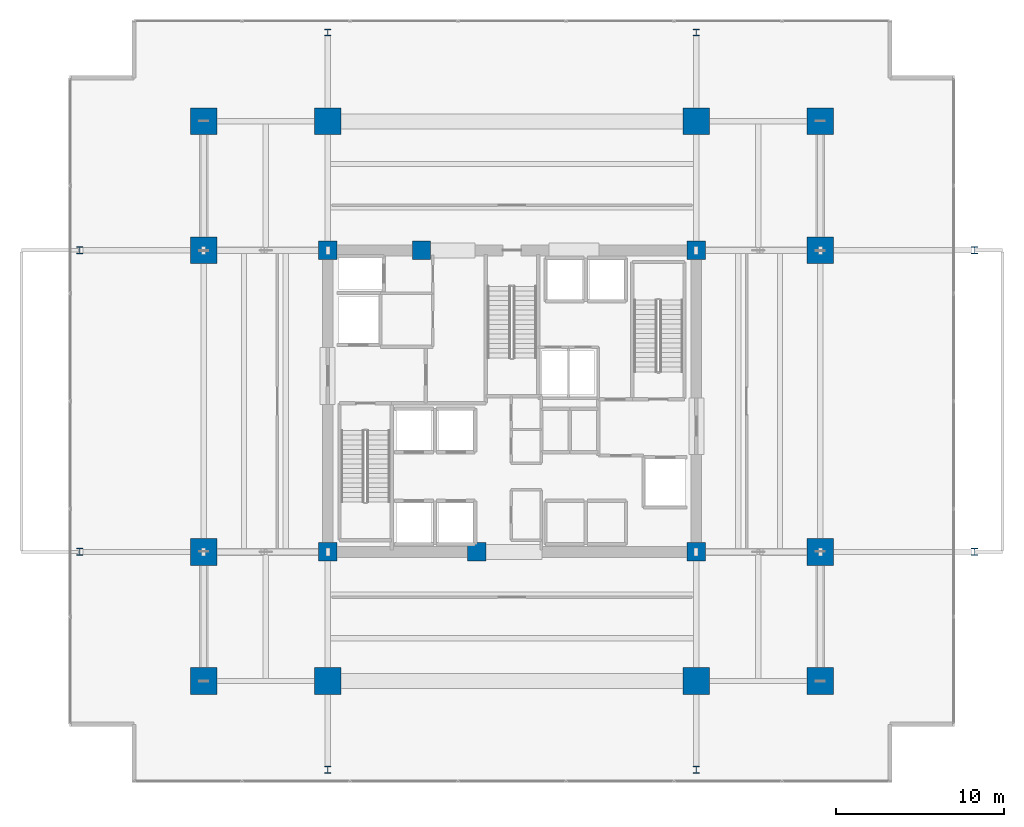
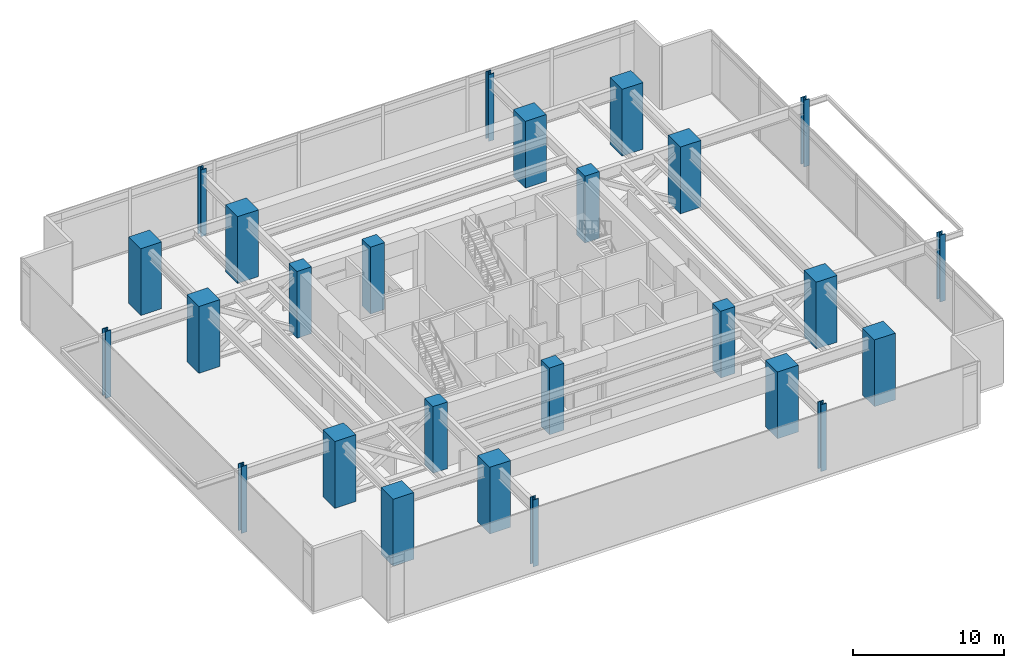
# One storey, part 1 of 26: 26 columns.
"""IFC4 building model written with IfcOpenShell, lengths in metres."""

from ifc_helpers import new_model, si_unit, direction, frame, origin, origin_2d, place, context, subcontext, project, spatial, rectangle, i_section, extrude, material, material_profile, profile_set, type_object, element, save


model = new_model("IFC4")

# Units and contexts
model_context = context("Model", 3, precision=1e-05, world=origin(), true_north=direction((0.0, 1.0)))
body_context = subcontext(model_context, "Body", "Model", "MODEL_VIEW")
ifc_project = project(units=[si_unit("LENGTHUNIT", "METRE"), si_unit("AREAUNIT", "SQUARE_METRE"), si_unit("VOLUMEUNIT", "CUBIC_METRE"), si_unit("PLANEANGLEUNIT", "RADIAN"), si_unit("MASSUNIT", "GRAM", prefix="KILO")], contexts=[model_context])

# Site, building, storey
site_placement = place(None, origin())
site = spatial("IfcSite", under=ifc_project, at=site_placement, CompositionType="ELEMENT")
building_placement = place(site_placement, origin())
building = spatial("IfcBuilding", under=site, at=building_placement, Name="Kovane Verandah Tower", CompositionType="ELEMENT")
storey_placement = place(building_placement, frame((0.0, 0.0, 113.0)))
storey = spatial("IfcBuildingStorey", under=building, at=storey_placement, Name="L26", CompositionType="ELEMENT", Elevation=113.0)

# Columns
ifc_material_1 = material(Name="Concrete C80/95", Category="concrete")
ifc_material_profile_1 = material_profile(ifc_material_1, rectangle(XDim=1.60009765625, YDim=1.60009765625, at=origin_2d()), Name="RC1600x1600")
ifc_profile_set_1 = profile_set([ifc_material_profile_1], Name="Concrete C80/95")
column_type_1 = type_object("IfcColumnType", Name="COL-RC1600", PredefinedType="COLUMN", material=ifc_profile_set_1)
for number, where, z_axis, x_axis, name in (
    (1, (29.0, 10.800048828125, 0.0), (0.0, 0.0, 1.0), (1.0, 0.0, 0.0), "L26 Tower Mega-Column MC-S1"),
    (2, (51.0, 10.800048828125, 0.0), (0.0, 0.0, 1.0), (1.0, 0.0, 0.0), "L26 Tower Mega-Column MC-S2"),
    (3, (29.0, 44.199951171875, 0.0), (0.0, 0.0, 1.0), (1.0, 0.0, 0.0), "L26 Tower Mega-Column MC-N1"),
    (4, (51.0, 44.199951171875, 0.0), (0.0, 0.0, 1.0), (1.0, 0.0, 0.0), "L26 Tower Mega-Column MC-N2"),
    (5, (21.60009765625, 18.5, 0.0), (0.0, 0.0, 1.0), (1.0, 0.0, 0.0), "L26 Tower Mega-Column MC-W1"),
    (6, (21.60009765625, 36.5, 0.0), (0.0, 0.0, 1.0), (1.0, 0.0, 0.0), "L26 Tower Mega-Column MC-W2"),
    (7, (58.39990234375, 18.5, 0.0), (0.0, 0.0, 1.0), (1.0, 0.0, 0.0), "L26 Tower Mega-Column MC-E1"),
    (8, (58.39990234375, 36.5, 0.0), (0.0, 0.0, 1.0), (1.0, 0.0, 0.0), "L26 Tower Mega-Column MC-E2"),
    (9, (21.60009765625, 10.800048828125, 0.0), (0.0, 0.0, 1.0), (1.0, 0.0, 0.0), "L26 Tower Mega-Column MC-SW"),
    (10, (58.39990234375, 10.800048828125, 0.0), (0.0, 0.0, 1.0), (1.0, 0.0, 0.0), "L26 Tower Mega-Column MC-SE"),
    (11, (21.60009765625, 44.199951171875, 0.0), (0.0, 0.0, 1.0), (1.0, 0.0, 0.0), "L26 Tower Mega-Column MC-NW"),
    (12, (58.39990234375, 44.199951171875, 0.0), (0.0, 0.0, 1.0), (1.0, 0.0, 0.0), "L26 Tower Mega-Column MC-NE"),
):
    element("IfcColumn", number, at=place(storey_placement, frame(where, z_axis=z_axis, x_axis=x_axis)), inside=storey, type_object=column_type_1, Name=name, PredefinedType="COLUMN", context=body_context, shape_type="SweptSolid", body=[
        extrude(rectangle(XDim=1.60009765625, YDim=1.60009765625, at=origin_2d()), origin(), (0.0, 0.0, 1.0), 5.39990234375),
    ])
ifc_material_2 = material(Name="Steel S460", Category="steel")
ifc_material_profile_2 = material_profile(ifc_material_2, i_section(OverallWidth=0.412109375, OverallDepth=0.4365234375, WebThickness=0.035888671875, FlangeThickness=0.05810546875, FilletRadius=0.01513671875, at=origin_2d()), Name="UC356x406x467")
ifc_profile_set_2 = profile_set([ifc_material_profile_2], Name="Steel S460")
column_type_2 = type_object("IfcColumnType", Name="COL-UC467", PredefinedType="COLUMN", material=ifc_profile_set_2)
for number, where, z_axis, x_axis, name in (
    (13, (14.199951171875, 18.5, 0.0), (0.0, 0.0, 1.0), (1.0, 0.0, 0.0), "L26 Verandah Perimeter Column VC-W1"),
    (14, (14.199951171875, 36.5, 0.0), (0.0, 0.0, 1.0), (1.0, 0.0, 0.0), "L26 Verandah Perimeter Column VC-W2"),
    (15, (67.60009765625, 18.5, 0.0), (0.0, 0.0, 1.0), (1.0, 0.0, 0.0), "L26 Verandah Perimeter Column VC-E1"),
    (16, (67.60009765625, 36.5, 0.0), (0.0, 0.0, 1.0), (1.0, 0.0, 0.0), "L26 Verandah Perimeter Column VC-E2"),
    (17, (29.0, 5.5, 0.0), (0.0, 0.0, 1.0), (1.0, 0.0, 0.0), "L26 Verandah Perimeter Column VC-S1"),
    (18, (51.0, 5.5, 0.0), (0.0, 0.0, 1.0), (1.0, 0.0, 0.0), "L26 Verandah Perimeter Column VC-S2"),
    (19, (29.0, 49.5, 0.0), (0.0, 0.0, 1.0), (1.0, 0.0, 0.0), "L26 Verandah Perimeter Column VC-N1"),
    (20, (51.0, 49.5, 0.0), (0.0, 0.0, 1.0), (1.0, 0.0, 0.0), "L26 Verandah Perimeter Column VC-N2"),
):
    element("IfcColumn", number, at=place(storey_placement, frame(where, z_axis=z_axis, x_axis=x_axis)), inside=storey, type_object=column_type_2, Name=name, PredefinedType="COLUMN", context=body_context, shape_type="SweptSolid", body=[
        extrude(i_section(OverallWidth=0.412109375, OverallDepth=0.4365234375, WebThickness=0.035888671875, FlangeThickness=0.05810546875, FilletRadius=0.01513671875, at=origin_2d()), origin(), (0.0, 0.0, 1.0), 5.39990234375),
    ])
ifc_material_profile_3 = material_profile(ifc_material_1, rectangle(XDim=1.10009765625, YDim=1.10009765625, at=origin_2d()), Name="RC1100x1100")
ifc_profile_set_3 = profile_set([ifc_material_profile_3], Name="Concrete C80/95")
column_type_3 = type_object("IfcColumnType", Name="PIL-RC1100", PredefinedType="PILASTER", material=ifc_profile_set_3)
for number, where, z_axis, x_axis, name in (
    (21, (29.0, 18.5, 0.0), (0.0, 0.0, 1.0), (1.0, 0.0, 0.0), "L26 Core Pilaster CP-SW"),
    (22, (51.0, 18.5, 0.0), (0.0, 0.0, 1.0), (1.0, 0.0, 0.0), "L26 Core Pilaster CP-SE"),
    (23, (29.0, 36.5, 0.0), (0.0, 0.0, 1.0), (1.0, 0.0, 0.0), "L26 Core Pilaster CP-NW"),
    (24, (51.0, 36.5, 0.0), (0.0, 0.0, 1.0), (1.0, 0.0, 0.0), "L26 Core Pilaster CP-NE"),
    (25, (37.89990234375, 18.5, 0.0), (0.0, 0.0, 1.0), (1.0, 0.0, 0.0), "L26 Core Pilaster CP-S"),
    (26, (34.60009765625, 36.5, 0.0), (0.0, 0.0, 1.0), (1.0, 0.0, 0.0), "L26 Core Pilaster CP-N"),
):
    element("IfcColumn", number, at=place(storey_placement, frame(where, z_axis=z_axis, x_axis=x_axis)), inside=storey, type_object=column_type_3, Name=name, PredefinedType="PILASTER", context=body_context, shape_type="SweptSolid", body=[
        extrude(rectangle(XDim=1.10009765625, YDim=1.10009765625, at=origin_2d()), origin(), (0.0, 0.0, 1.0), 5.39990234375),
    ])

save(model, "model.ifc")
